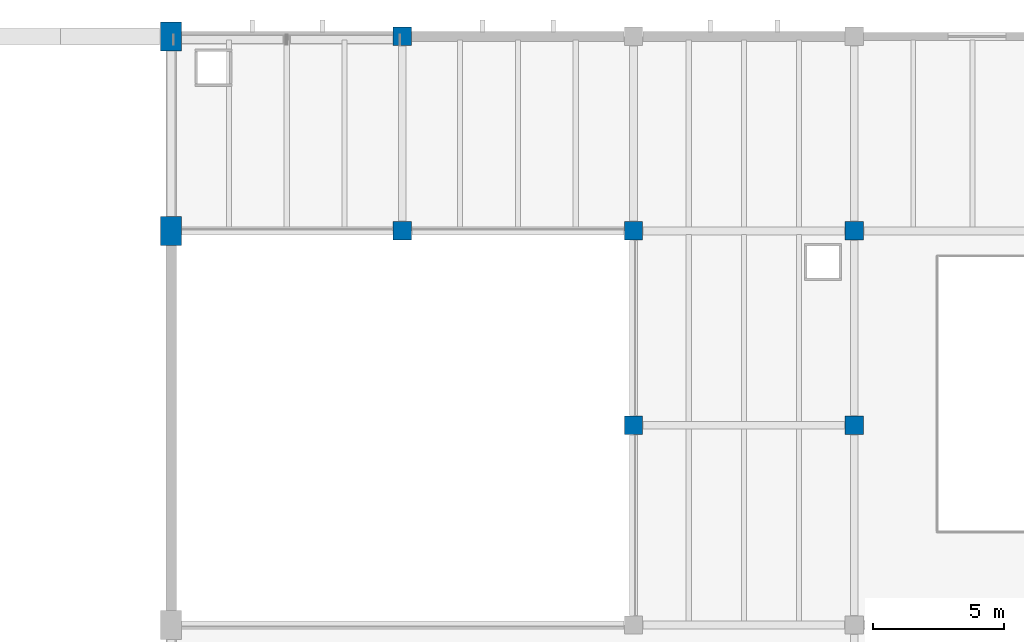
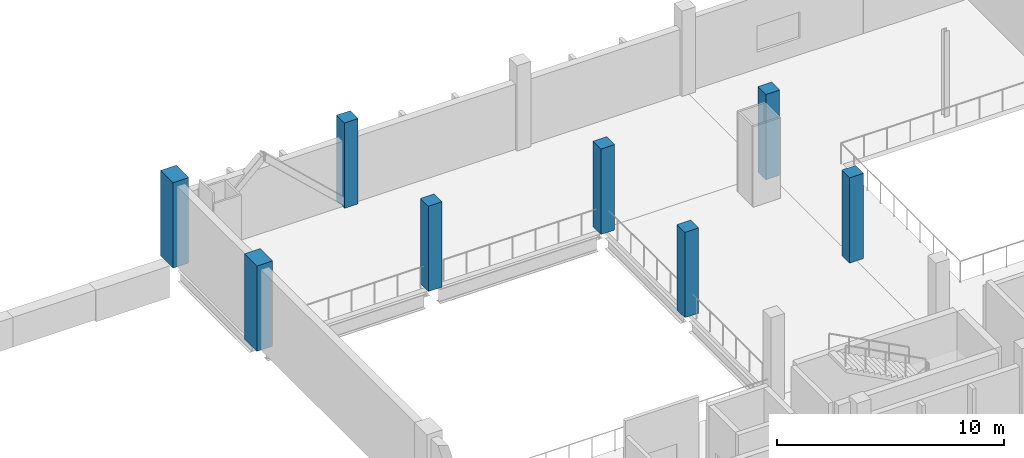
# One storey, part 2 of 37: 8 columns.
"""IFC4 building model written with IfcOpenShell, lengths in metres."""

from ifc_helpers import new_model, si_unit, direction, frame, origin, origin_2d, place, context, subcontext, project, spatial, rectangle, extrude, material, material_profile, profile_set, type_object, element, save


model = new_model("IFC4")

# Units and contexts
model_context = context("Model", 3, precision=1e-05, world=origin(), true_north=direction((0.0, 1.0)))
body_context = subcontext(model_context, "Body", "Model", "MODEL_VIEW")
ifc_project = project(units=[si_unit("LENGTHUNIT", "METRE"), si_unit("AREAUNIT", "SQUARE_METRE"), si_unit("VOLUMEUNIT", "CUBIC_METRE"), si_unit("PLANEANGLEUNIT", "RADIAN"), si_unit("MASSUNIT", "GRAM", prefix="KILO")], contexts=[model_context])

# Site, building, storey
site_placement = place(None, origin())
site = spatial("IfcSite", under=ifc_project, at=site_placement, CompositionType="ELEMENT")
building_placement = place(site_placement, origin())
building = spatial("IfcBuilding", under=site, at=building_placement, Name="Shengluoqiao Park Theatre", CompositionType="ELEMENT")
storey_placement = place(building_placement, frame((0.0, 0.0, 19.199951171875)))
storey = spatial("IfcBuildingStorey", under=building, at=storey_placement, Name="L04", CompositionType="ELEMENT", Elevation=19.199951171875)

# Columns
ifc_material = material(Name="Concrete C50", Category="concrete")
ifc_material_profile_1 = material_profile(ifc_material, rectangle(XDim=0.699951171875, YDim=0.699951171875, at=origin_2d()), Name="RC 700x700")
ifc_profile_set_1 = profile_set([ifc_material_profile_1], Name="Concrete C50")
column_type_1 = type_object("IfcColumnType", Name="STR-COL-C-RC700", PredefinedType="COLUMN", material=ifc_profile_set_1)
for number, where, z_axis, x_axis, name in (
    (1, (95.199951171875, 106.60009765625, 0.0), (0.0, 0.0, 1.0), (1.0, 0.0, 0.0), "L04 Column 0482"),
    (2, (95.199951171875, 114.0, 0.0), (0.0, 0.0, 1.0), (1.0, 0.0, 0.0), "L04 Column 0489"),
    (3, (104.0, 99.199951171875, 0.0), (0.0, 0.0, 1.0), (1.0, 0.0, 0.0), "L04 Column 0521"),
    (4, (104.0, 106.60009765625, 0.0), (0.0, 0.0, 1.0), (1.0, 0.0, 0.0), "L04 Column 0528"),
    (5, (112.39990234375, 99.199951171875, 0.0), (0.0, 0.0, 1.0), (1.0, 0.0, 0.0), "L04 Column 0567"),
    (6, (112.39990234375, 106.60009765625, 0.0), (0.0, 0.0, 1.0), (1.0, 0.0, 0.0), "L04 Column 0574"),
):
    element("IfcColumn", number, at=place(storey_placement, frame(where, z_axis=z_axis, x_axis=x_axis)), inside=storey, type_object=column_type_1, Name=name, PredefinedType="COLUMN", context=body_context, shape_type="SweptSolid", body=[
        extrude(rectangle(XDim=0.699951171875, YDim=0.699951171875, at=origin_2d()), origin(), (0.0, 0.0, 1.0), 4.60009765625),
    ])
ifc_material_profile_2 = material_profile(ifc_material, rectangle(XDim=0.800048828125, YDim=1.10009765625, at=origin_2d()), Name="RC 800x1100")
ifc_profile_set_2 = profile_set([ifc_material_profile_2], Name="Concrete C50")
column_type_2 = type_object("IfcColumnType", Name="STR-COL-C-RC8011", PredefinedType="COLUMN", material=ifc_profile_set_2)
for number, where, z_axis, x_axis, name in (
    (7, (86.39990234375, 106.60009765625, 0.0), (0.0, 0.0, 1.0), (1.0, 0.0, 0.0), "L04 Column 0448"),
    (8, (86.39990234375, 114.0, 0.0), (0.0, 0.0, 1.0), (1.0, 0.0, 0.0), "L04 Column 0455"),
):
    element("IfcColumn", number, at=place(storey_placement, frame(where, z_axis=z_axis, x_axis=x_axis)), inside=storey, type_object=column_type_2, Name=name, PredefinedType="COLUMN", context=body_context, shape_type="SweptSolid", body=[
        extrude(rectangle(XDim=0.800048828125, YDim=1.10009765625, at=origin_2d()), origin(), (0.0, 0.0, 1.0), 4.60009765625),
    ])

save(model, "model.ifc")
